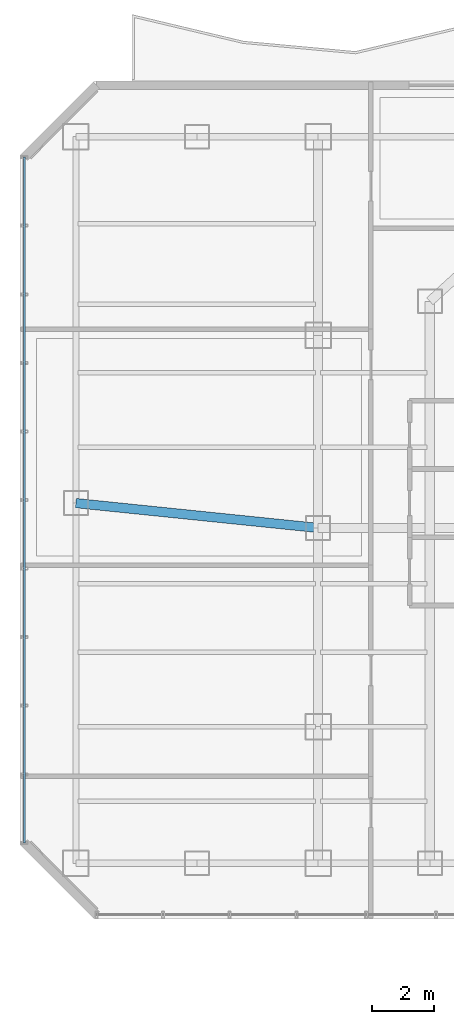
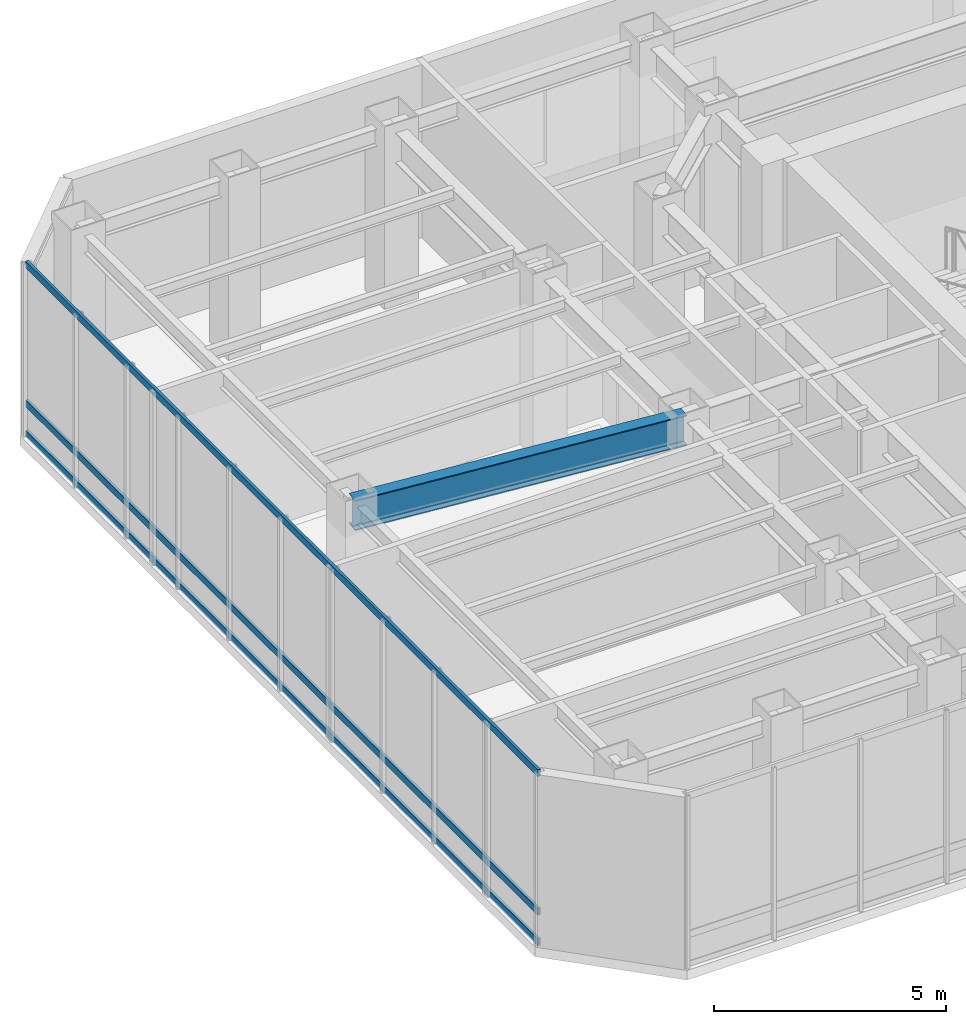
# One storey, part 16 of 30: 3 members, 1 beam, 1 element without a shape of its own.
"""IFC4 building model written with IfcOpenShell, lengths in metres."""

from ifc_helpers import new_model, si_unit, direction, frame, origin, origin_2d, place, context, subcontext, project, spatial, hollow_rectangle, i_section, extrude, material, layer, layer_set, material_profile, profile_set, type_object, element, aggregate, save


model = new_model("IFC4")

# Units and contexts
model_context = context("Model", 3, precision=1e-05, world=origin(), true_north=direction((0.0, 1.0)))
body_context = subcontext(model_context, "Body", "Model", "MODEL_VIEW")
ifc_project = project(units=[si_unit("LENGTHUNIT", "METRE"), si_unit("AREAUNIT", "SQUARE_METRE"), si_unit("VOLUMEUNIT", "CUBIC_METRE"), si_unit("PLANEANGLEUNIT", "RADIAN"), si_unit("MASSUNIT", "GRAM", prefix="KILO")], contexts=[model_context])

# Site, building, storey
site_placement = place(None, origin())
site = spatial("IfcSite", under=ifc_project, at=site_placement, CompositionType="ELEMENT")
building_placement = place(site_placement, origin())
building = spatial("IfcBuilding", under=site, at=building_placement, Name="Hatsunagi Terrace Concourse", CompositionType="ELEMENT")
storey_placement = place(building_placement, frame((0.0, 0.0, 130.050048828125)))
storey = spatial("IfcBuildingStorey", under=building, at=storey_placement, Name="L34", CompositionType="ELEMENT", Elevation=130.050048828125)

# Curtain wall, members
ifc_material_1 = material(Name="Anodised Aluminium Alloy 6063-T5", Category="aluminium")
ifc_layer = layer(ifc_material_1, 0.199951171875)
ifc_layer_set = layer_set([ifc_layer], Name="SkyLobbyAtrium_CW05")
curtain_wall_type = type_object("IfcCurtainWallType", Name="SkyLobbyAtrium_CW05", PredefinedType="NOTDEFINED", material=ifc_layer_set)
curtain_wall_placement = place(storey_placement, origin())
curtain_wall = element("IfcCurtainWall", 1, at=curtain_wall_placement, inside=storey, type_object=curtain_wall_type, Name="Unitised Curtain Wall CW-05 CW-L34-09", PredefinedType="NOTDEFINED")
ifc_material_2 = material(Name="Anodised Aluminium Alloy 6063-T5", Category="aluminium")
ifc_material_profile_1 = material_profile(ifc_material_2, hollow_rectangle(XDim=0.070068359375, YDim=0.179931640625, WallThickness=0.00390625, at=origin_2d()), Name="ALU-TRN-180x70x4")
ifc_profile_set_1 = profile_set([ifc_material_profile_1], Name="Anodised Aluminium Alloy 6063-T5")
member_type = type_object("IfcMemberType", Name="CurtainWallTransom_Heavy_180x70", PredefinedType="USERDEFINED", material=ifc_profile_set_1)
member_1_placement = place(storey_placement, frame((9.739990234375, 25.85791015625, 0.050048828125), z_axis=(0.0, 1.0, 0.0), x_axis=(-1.0, 0.0, 0.0)))
member_1 = element("IfcMember", 2, at=member_1_placement, type_object=member_type, Name="Curtain Wall Transom TRN-01", ObjectType="TRANSOM", PredefinedType="USERDEFINED", context=body_context, shape_type="SweptSolid", body=[
    extrude(hollow_rectangle(XDim=0.070068359375, YDim=0.179931640625, WallThickness=0.00390625, at=origin_2d()), origin(), (0.0, 0.0, 1.0), 22.083984375),
])
member_2_placement = place(storey_placement, frame((9.739990234375, 25.85791015625, 0.849853515625), z_axis=(0.0, 1.0, 0.0), x_axis=(-1.0, 0.0, 0.0)))
member_2 = element("IfcMember", 3, at=member_2_placement, type_object=member_type, Name="Curtain Wall Transom TRN-01", ObjectType="TRANSOM", PredefinedType="USERDEFINED", context=body_context, shape_type="SweptSolid", body=[
    extrude(hollow_rectangle(XDim=0.070068359375, YDim=0.179931640625, WallThickness=0.00390625, at=origin_2d()), origin(), (0.0, 0.0, 1.0), 22.083984375),
])
member_3_placement = place(storey_placement, frame((9.739990234375, 25.85791015625, 4.5), z_axis=(0.0, 1.0, 0.0), x_axis=(-1.0, 0.0, 0.0)))
member_3 = element("IfcMember", 4, at=member_3_placement, type_object=member_type, Name="Curtain Wall Transom TRN-01", ObjectType="TRANSOM", PredefinedType="USERDEFINED", context=body_context, shape_type="SweptSolid", body=[
    extrude(hollow_rectangle(XDim=0.070068359375, YDim=0.179931640625, WallThickness=0.00390625, at=origin_2d()), origin(), (0.0, 0.0, 1.0), 22.083984375),
])
aggregate(curtain_wall, [member_1, member_2, member_3])

# Beam
ifc_material_3 = material(Name="Steel SN490B", Category="steel")
ifc_material_profile_2 = material_profile(ifc_material_3, i_section(OverallWidth=0.300048828125, OverallDepth=0.800048828125, WebThickness=0.013916015625, FlangeThickness=0.02587890625, FilletRadius=0.02197265625, at=origin_2d()), Name="H-800x300x14x26")
ifc_profile_set_2 = profile_set([ifc_material_profile_2], Name="Steel SN490B")
beam_type = type_object("IfcBeamType", Name="SkyLobbyGirder_H_800x300", PredefinedType="BEAM", material=ifc_profile_set_2)
beam_placement = place(storey_placement, frame((11.39990234375, 36.800048828125, 4.14990234375), z_axis=(0.994780871372, -0.102034395927, 0.0), x_axis=(0.102034395927, 0.994780871372, 0.0)))
element("IfcBeam", 5, at=beam_placement, inside=storey, type_object=beam_type, Name="Beam G-03 BM-L34-EW-2", PredefinedType="BEAM", context=body_context, shape_type="SweptSolid", body=[
    extrude(i_section(OverallWidth=0.300048828125, OverallDepth=0.800048828125, WebThickness=0.013916015625, FlangeThickness=0.02587890625, FilletRadius=0.02197265625, at=origin_2d()), origin(), (0.0, 0.0, 1.0), 7.841064453125),
])

save(model, "model.ifc")
